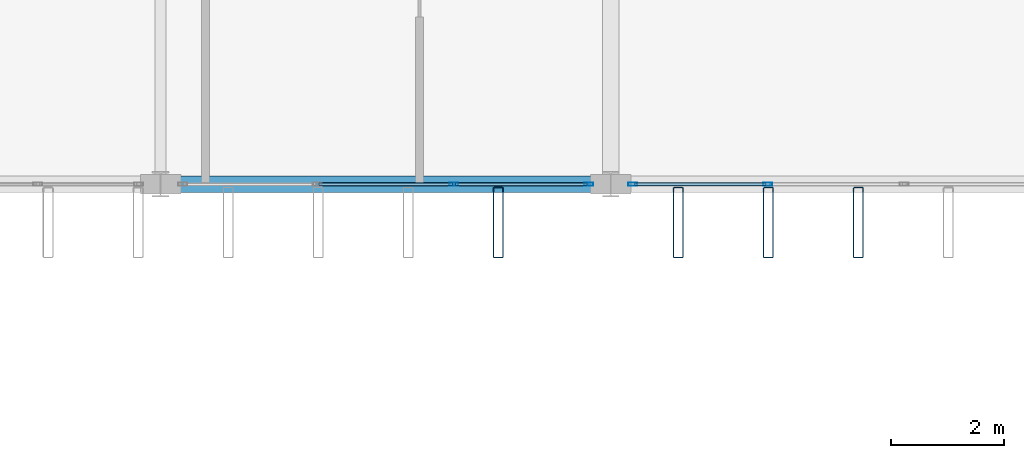
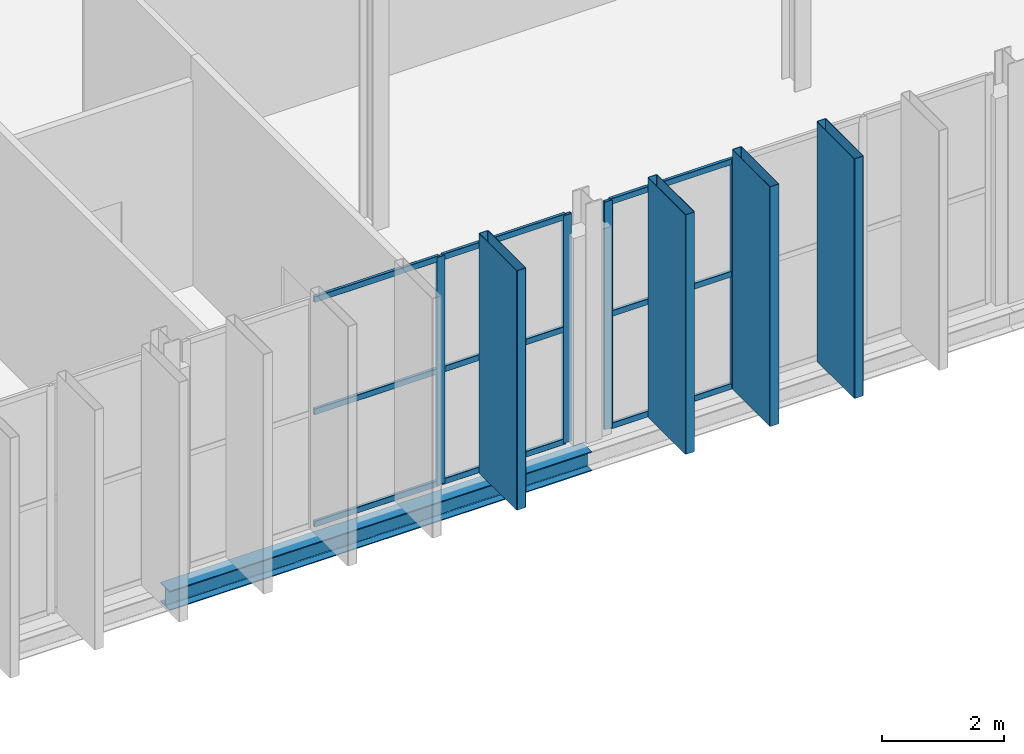
# One storey, part 23 of 120: 17 members, 1 beam, 2 elements without a shape of their own.
"""IFC4 building model written with IfcOpenShell, lengths in metres."""

from ifc_helpers import new_model, si_unit, direction, frame, origin, origin_2d, place, context, subcontext, project, spatial, hollow_rectangle, i_section, extrude, material, layer, layer_set, material_profile, profile_set, type_object, element, aggregate, save


model = new_model("IFC4")

# Units and contexts
model_context = context("Model", 3, precision=1e-05, world=origin(), true_north=direction((0.0, 1.0)))
body_context = subcontext(model_context, "Body", "Model", "MODEL_VIEW")
ifc_project = project(units=[si_unit("LENGTHUNIT", "METRE"), si_unit("AREAUNIT", "SQUARE_METRE"), si_unit("VOLUMEUNIT", "CUBIC_METRE"), si_unit("PLANEANGLEUNIT", "RADIAN"), si_unit("MASSUNIT", "GRAM", prefix="KILO")], contexts=[model_context])

# Site, building, storey
site_placement = place(None, origin())
site = spatial("IfcSite", under=ifc_project, at=site_placement, CompositionType="ELEMENT")
building_placement = place(site_placement, origin())
building = spatial("IfcBuilding", under=site, at=building_placement, Name="Vekula Escarpment Museum", CompositionType="ELEMENT")
storey_placement = place(building_placement, frame((0.0, 0.0, 13.199951171875)))
storey = spatial("IfcBuildingStorey", under=building, at=storey_placement, Name="L03", CompositionType="ELEMENT", Elevation=13.199951171875)

# Beam
ifc_material_1 = material(Name="Steel S355", Category="steel")
ifc_material_profile_1 = material_profile(ifc_material_1, i_section(OverallWidth=0.300048828125, OverallDepth=0.389892578125, WebThickness=0.010986328125, FlangeThickness=0.01904296875, FilletRadius=0.027099609375, at=origin_2d()), Name="HEA 400")
ifc_profile_set_1 = profile_set([ifc_material_profile_1], Name="Steel S355")
beam_type = type_object("IfcBeamType", Name="BM-SPAN-HEA400", PredefinedType="SPANDREL", material=ifc_profile_set_1)
beam_placement = place(storey_placement, frame((78.0, 45.60009765625, -0.445068359375), z_axis=(1.0, 0.0, 0.0), x_axis=(0.0, 1.0, 0.0)))
element("IfcBeam", 1, at=beam_placement, inside=storey, type_object=beam_type, Name="Beam X L03 1316", PredefinedType="SPANDREL", context=body_context, shape_type="SweptSolid", body=[
    extrude(i_section(OverallWidth=0.300048828125, OverallDepth=0.389892578125, WebThickness=0.010986328125, FlangeThickness=0.01904296875, FilletRadius=0.027099609375, at=origin_2d()), origin(), (0.0, 0.0, 1.0), 8.0),
])

# Curtain wall, members
ifc_material_2 = material(Name="Aluminium thermally broken framing", Category="aluminium")
ifc_layer_1 = layer(ifc_material_2, 0.159912109375)
ifc_layer_set_1 = layer_set([ifc_layer_1], Name="Aluminium thermally broken framing")
curtain_wall_type_1 = type_object("IfcCurtainWallType", Name="CW-SYS-02", PredefinedType="NOTDEFINED", material=ifc_layer_set_1)
curtain_wall_1_placement = place(storey_placement, origin())
curtain_wall_1 = element("IfcCurtainWall", 2, at=curtain_wall_1_placement, inside=storey, type_object=curtain_wall_type_1, Name="Curtain Wall CW-L03-102", PredefinedType="NOTDEFINED")
ifc_material_3 = material(Name="Aluminium anodized mullion", Category="aluminium")
ifc_material_profile_2 = material_profile(ifc_material_3, hollow_rectangle(XDim=0.06005859375, YDim=0.159912109375, WallThickness=0.00390625, InnerFilletRadius=0.00390625, OuterFilletRadius=0.008056640625, at=origin_2d()), Name="ALU 160x60x4")
ifc_profile_set_2 = profile_set([ifc_material_profile_2], Name="Aluminium anodized mullion")
member_type_1 = type_object("IfcMemberType", Name="CW-MUL-160", PredefinedType="MULLION", material=ifc_profile_set_2)
member_1_placement = place(storey_placement, frame((83.21337890625, 45.60009765625, 0.0), z_axis=(0.0, 0.0, 1.0), x_axis=(0.0, 1.0, 0.0)))
member_1 = element("IfcMember", 3, at=member_1_placement, type_object=member_type_1, Name="CW-02 mullion 3", PredefinedType="MULLION", context=body_context, shape_type="SweptSolid", body=[
    extrude(hollow_rectangle(XDim=0.06005859375, YDim=0.159912109375, WallThickness=0.00390625, InnerFilletRadius=0.00390625, OuterFilletRadius=0.008056640625, at=origin_2d()), origin(), (0.0, 0.0, 1.0), 4.56005859375),
])
member_2_placement = place(storey_placement, frame((85.610107421875, 45.60009765625, 0.0), z_axis=(0.0, 0.0, 1.0), x_axis=(0.0, 1.0, 0.0)))
member_2 = element("IfcMember", 4, at=member_2_placement, type_object=member_type_1, Name="CW-02 mullion 4", PredefinedType="MULLION", context=body_context, shape_type="SweptSolid", body=[
    extrude(hollow_rectangle(XDim=0.06005859375, YDim=0.159912109375, WallThickness=0.00390625, InnerFilletRadius=0.00390625, OuterFilletRadius=0.008056640625, at=origin_2d()), origin(), (0.0, 0.0, 1.0), 4.56005859375),
])

ifc_material_4 = material(Name="Aluminium thermally broken framing", Category="aluminium")
ifc_layer_2 = layer(ifc_material_4, 0.199951171875)
ifc_layer_set_2 = layer_set([ifc_layer_2], Name="Aluminium thermally broken framing")
curtain_wall_type_2 = type_object("IfcCurtainWallType", Name="CW-SYS-03", PredefinedType="NOTDEFINED", material=ifc_layer_set_2)
curtain_wall_2_placement = place(storey_placement, origin())
curtain_wall_2 = element("IfcCurtainWall", 5, at=curtain_wall_2_placement, inside=storey, type_object=curtain_wall_type_2, Name="Curtain Wall CW-L03-103", PredefinedType="NOTDEFINED")
member_3_placement = place(storey_placement, frame((86.389892578125, 45.60009765625, 0.0), z_axis=(0.0, 0.0, 1.0), x_axis=(0.0, 1.0, 0.0)))
member_3 = element("IfcMember", 6, at=member_3_placement, type_object=member_type_1, Name="CW-03 mullion 1", PredefinedType="MULLION", context=body_context, shape_type="SweptSolid", body=[
    extrude(hollow_rectangle(XDim=0.06005859375, YDim=0.159912109375, WallThickness=0.00390625, InnerFilletRadius=0.00390625, OuterFilletRadius=0.008056640625, at=origin_2d()), origin(), (0.0, 0.0, 1.0), 4.56005859375),
])
member_4_placement = place(storey_placement, frame((88.78662109375, 45.60009765625, 0.0), z_axis=(0.0, 0.0, 1.0), x_axis=(0.0, 1.0, 0.0)))
member_4 = element("IfcMember", 7, at=member_4_placement, type_object=member_type_1, Name="CW-03 mullion 2", PredefinedType="MULLION", context=body_context, shape_type="SweptSolid", body=[
    extrude(hollow_rectangle(XDim=0.06005859375, YDim=0.159912109375, WallThickness=0.00390625, InnerFilletRadius=0.00390625, OuterFilletRadius=0.008056640625, at=origin_2d()), origin(), (0.0, 0.0, 1.0), 4.56005859375),
])

# Member
ifc_material_5 = material(Name="Aluminium anodized transom", Category="aluminium")
ifc_material_profile_3 = material_profile(ifc_material_5, hollow_rectangle(XDim=0.06005859375, YDim=0.1201171875, WallThickness=0.00390625, InnerFilletRadius=0.00390625, OuterFilletRadius=0.008056640625, at=origin_2d()), Name="ALU 120x60x4")
ifc_profile_set_3 = profile_set([ifc_material_profile_3], Name="Aluminium anodized transom")
member_type_2 = type_object("IfcMemberType", Name="CW-TRN-120", PredefinedType="USERDEFINED", material=ifc_profile_set_3)
member_5_placement = place(storey_placement, frame((80.816650390625, 45.60009765625, 0.030029296875), z_axis=(1.0, 0.0, 0.0), x_axis=(0.0, 1.0, 0.0)))
member_5 = element("IfcMember", 8, at=member_5_placement, type_object=member_type_2, Name="CW-02 transom 2.1", ObjectType="TRANSOM", PredefinedType="USERDEFINED", context=body_context, shape_type="SweptSolid", body=[
    extrude(hollow_rectangle(XDim=0.06005859375, YDim=0.1201171875, WallThickness=0.00390625, InnerFilletRadius=0.00390625, OuterFilletRadius=0.008056640625, at=origin_2d()), origin(), (0.0, 0.0, 1.0), 2.36669921875),
])

member_6_placement = place(storey_placement, frame((80.816650390625, 45.60009765625, 2.280029296875), z_axis=(1.0, 0.0, 0.0), x_axis=(0.0, 1.0, 0.0)))
member_6 = element("IfcMember", 9, at=member_6_placement, type_object=member_type_2, Name="CW-02 transom 2.2", ObjectType="TRANSOM", PredefinedType="USERDEFINED", context=body_context, shape_type="SweptSolid", body=[
    extrude(hollow_rectangle(XDim=0.06005859375, YDim=0.1201171875, WallThickness=0.00390625, InnerFilletRadius=0.00390625, OuterFilletRadius=0.008056640625, at=origin_2d()), origin(), (0.0, 0.0, 1.0), 2.36669921875),
])

member_7_placement = place(storey_placement, frame((80.816650390625, 45.60009765625, 4.530029296875), z_axis=(1.0, 0.0, 0.0), x_axis=(0.0, 1.0, 0.0)))
member_7 = element("IfcMember", 10, at=member_7_placement, type_object=member_type_2, Name="CW-02 transom 2.3", ObjectType="TRANSOM", PredefinedType="USERDEFINED", context=body_context, shape_type="SweptSolid", body=[
    extrude(hollow_rectangle(XDim=0.06005859375, YDim=0.1201171875, WallThickness=0.00390625, InnerFilletRadius=0.00390625, OuterFilletRadius=0.008056640625, at=origin_2d()), origin(), (0.0, 0.0, 1.0), 2.36669921875),
])

member_8_placement = place(storey_placement, frame((83.243408203125, 45.60009765625, 0.030029296875), z_axis=(1.0, 0.0, 0.0), x_axis=(0.0, 1.0, 0.0)))
member_8 = element("IfcMember", 11, at=member_8_placement, type_object=member_type_2, Name="CW-02 transom 3.1", ObjectType="TRANSOM", PredefinedType="USERDEFINED", context=body_context, shape_type="SweptSolid", body=[
    extrude(hollow_rectangle(XDim=0.06005859375, YDim=0.1201171875, WallThickness=0.00390625, InnerFilletRadius=0.00390625, OuterFilletRadius=0.008056640625, at=origin_2d()), origin(), (0.0, 0.0, 1.0), 2.336669921875),
])

member_9_placement = place(storey_placement, frame((83.243408203125, 45.60009765625, 2.280029296875), z_axis=(1.0, 0.0, 0.0), x_axis=(0.0, 1.0, 0.0)))
member_9 = element("IfcMember", 12, at=member_9_placement, type_object=member_type_2, Name="CW-02 transom 3.2", ObjectType="TRANSOM", PredefinedType="USERDEFINED", context=body_context, shape_type="SweptSolid", body=[
    extrude(hollow_rectangle(XDim=0.06005859375, YDim=0.1201171875, WallThickness=0.00390625, InnerFilletRadius=0.00390625, OuterFilletRadius=0.008056640625, at=origin_2d()), origin(), (0.0, 0.0, 1.0), 2.336669921875),
])

member_10_placement = place(storey_placement, frame((83.243408203125, 45.60009765625, 4.530029296875), z_axis=(1.0, 0.0, 0.0), x_axis=(0.0, 1.0, 0.0)))
member_10 = element("IfcMember", 13, at=member_10_placement, type_object=member_type_2, Name="CW-02 transom 3.3", ObjectType="TRANSOM", PredefinedType="USERDEFINED", context=body_context, shape_type="SweptSolid", body=[
    extrude(hollow_rectangle(XDim=0.06005859375, YDim=0.1201171875, WallThickness=0.00390625, InnerFilletRadius=0.00390625, OuterFilletRadius=0.008056640625, at=origin_2d()), origin(), (0.0, 0.0, 1.0), 2.336669921875),
])

aggregate(curtain_wall_1, [member_1, member_2, member_5, member_6, member_7, member_8, member_9, member_10])

member_11_placement = place(storey_placement, frame((86.419921875, 45.60009765625, 0.030029296875), z_axis=(1.0, 0.0, 0.0), x_axis=(0.0, 1.0, 0.0)))
member_11 = element("IfcMember", 14, at=member_11_placement, type_object=member_type_2, Name="CW-03 transom 1.1", ObjectType="TRANSOM", PredefinedType="USERDEFINED", context=body_context, shape_type="SweptSolid", body=[
    extrude(hollow_rectangle(XDim=0.06005859375, YDim=0.1201171875, WallThickness=0.00390625, InnerFilletRadius=0.00390625, OuterFilletRadius=0.008056640625, at=origin_2d()), origin(), (0.0, 0.0, 1.0), 2.336669921875),
])

member_12_placement = place(storey_placement, frame((86.419921875, 45.60009765625, 2.280029296875), z_axis=(1.0, 0.0, 0.0), x_axis=(0.0, 1.0, 0.0)))
member_12 = element("IfcMember", 15, at=member_12_placement, type_object=member_type_2, Name="CW-03 transom 1.2", ObjectType="TRANSOM", PredefinedType="USERDEFINED", context=body_context, shape_type="SweptSolid", body=[
    extrude(hollow_rectangle(XDim=0.06005859375, YDim=0.1201171875, WallThickness=0.00390625, InnerFilletRadius=0.00390625, OuterFilletRadius=0.008056640625, at=origin_2d()), origin(), (0.0, 0.0, 1.0), 2.336669921875),
])

member_13_placement = place(storey_placement, frame((86.419921875, 45.60009765625, 4.530029296875), z_axis=(1.0, 0.0, 0.0), x_axis=(0.0, 1.0, 0.0)))
member_13 = element("IfcMember", 16, at=member_13_placement, type_object=member_type_2, Name="CW-03 transom 1.3", ObjectType="TRANSOM", PredefinedType="USERDEFINED", context=body_context, shape_type="SweptSolid", body=[
    extrude(hollow_rectangle(XDim=0.06005859375, YDim=0.1201171875, WallThickness=0.00390625, InnerFilletRadius=0.00390625, OuterFilletRadius=0.008056640625, at=origin_2d()), origin(), (0.0, 0.0, 1.0), 2.336669921875),
])

aggregate(curtain_wall_2, [member_3, member_4, member_11, member_12, member_13])

# Members
ifc_material_6 = material(Name="Steel S355 weathered bronze solar fin", Category="steel")
ifc_material_profile_4 = material_profile(ifc_material_6, hollow_rectangle(XDim=0.179931640625, YDim=1.25, WallThickness=0.010009765625, InnerFilletRadius=0.010009765625, OuterFilletRadius=0.02001953125, at=origin_2d()), Name="RHS 1250x180x10")
ifc_profile_set_4 = profile_set([ifc_material_profile_4], Name="Steel S355 weathered bronze solar fin")
member_type_3 = type_object("IfcMemberType", Name="MB-SOLAR-FIN", PredefinedType="USERDEFINED", material=ifc_profile_set_4)
for number, where, z_axis, x_axis, name in (
    (17, (84.0, 44.919921875, 0.0), (0.0, 0.0, 1.0), (1.0, 0.0, 0.0), "Great Hall Vertical Solar Fin 0043"),
    (18, (87.199951171875, 44.919921875, 0.0), (0.0, 0.0, 1.0), (1.0, 0.0, 0.0), "Great Hall Vertical Solar Fin 0048"),
    (19, (88.800048828125, 44.919921875, 0.0), (0.0, 0.0, 1.0), (1.0, 0.0, 0.0), "Great Hall Vertical Solar Fin 0053"),
    (20, (90.39990234375, 44.919921875, 0.0), (0.0, 0.0, 1.0), (1.0, 0.0, 0.0), "Great Hall Vertical Solar Fin 0058"),
):
    element("IfcMember", number, at=place(storey_placement, frame(where, z_axis=z_axis, x_axis=x_axis)), inside=storey, type_object=member_type_3, Name=name, ObjectType="SOLAR FIN", PredefinedType="USERDEFINED", context=body_context, shape_type="SweptSolid", body=[
        extrude(hollow_rectangle(XDim=0.179931640625, YDim=1.25, WallThickness=0.010009765625, InnerFilletRadius=0.010009765625, OuterFilletRadius=0.02001953125, at=origin_2d()), origin(), (0.0, 0.0, 1.0), 4.800048828125),
    ])

save(model, "model.ifc")
